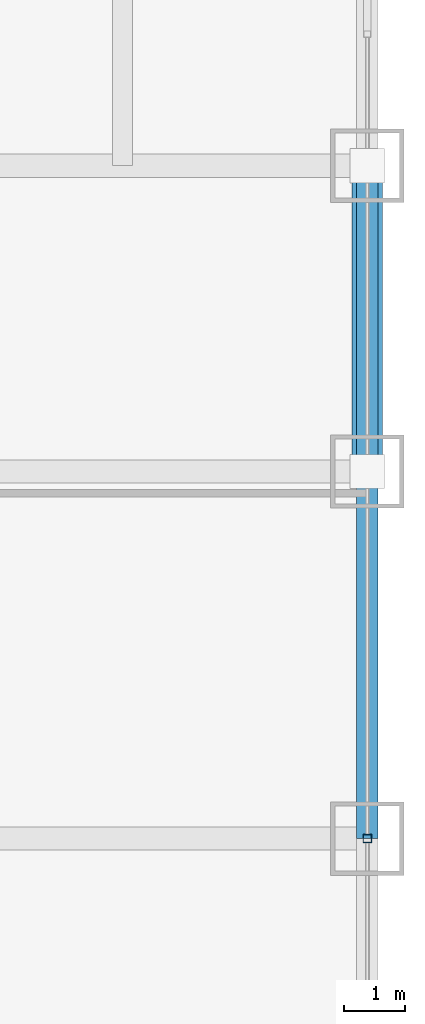
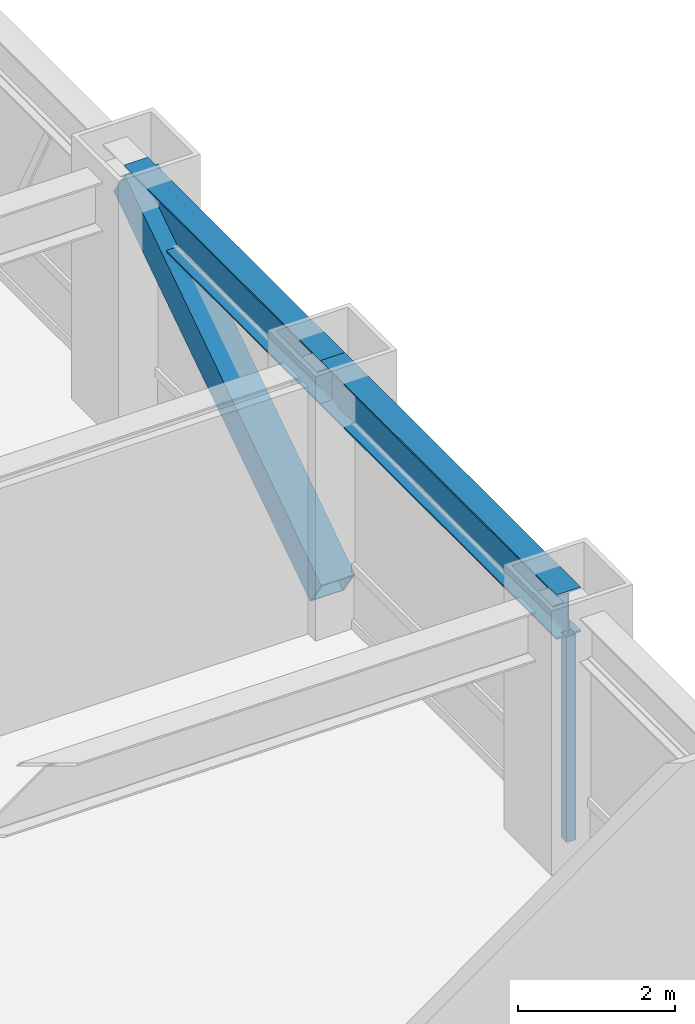
# One storey, part 14 of 27: 2 beams, 2 members, 1 element without a shape of its own.
"""IFC4 building model written with IfcOpenShell, lengths in metres."""

from ifc_helpers import new_model, si_unit, direction, frame, origin, origin_2d, place, context, subcontext, project, spatial, hollow_rectangle, i_section, extrude, source, transform, mapped, material, material_profile, profile_set, type_object, element, aggregate, save


model = new_model("IFC4")

# Units and contexts
model_context = context("Model", 3, precision=1e-05, world=origin(), true_north=direction((0.0, 1.0)))
body_context = subcontext(model_context, "Body", "Model", "MODEL_VIEW")
ifc_project = project(units=[si_unit("LENGTHUNIT", "METRE"), si_unit("AREAUNIT", "SQUARE_METRE"), si_unit("VOLUMEUNIT", "CUBIC_METRE"), si_unit("PLANEANGLEUNIT", "RADIAN"), si_unit("MASSUNIT", "GRAM", prefix="KILO")], contexts=[model_context])

# Site, building, storey
site_placement = place(None, origin())
site = spatial("IfcSite", under=ifc_project, at=site_placement, CompositionType="ELEMENT")
building_placement = place(site_placement, origin())
building = spatial("IfcBuilding", under=site, at=building_placement, Name="Khorayat Bourse Tower", CompositionType="ELEMENT")
storey_placement = place(building_placement, frame((0.0, 0.0, 111.89990234375)))
storey = spatial("IfcBuildingStorey", under=building, at=storey_placement, Name="L25", CompositionType="ELEMENT", Elevation=111.89990234375)

# Beams
ifc_material_1 = material(Name="Steel ASTM A992 Grade 50", Category="steel")
ifc_material_profile_1 = material_profile(ifc_material_1, i_section(OverallWidth=0.35498046875, OverallDepth=0.695068359375, WebThickness=0.015380859375, FlangeThickness=0.02490234375, FilletRadius=0.01806640625, at=origin_2d()), Name="W690X217")
ifc_profile_set_1 = profile_set([ifc_material_profile_1], Name="Steel ASTM A992 Grade 50")
beam_type = type_object("IfcBeamType", Name="BM-SPAN-690", PredefinedType="SPANDREL", material=ifc_profile_set_1)
shared_shape_1 = source(origin(), body_context, "Body", "SweptSolid", [
    extrude(i_section(OverallWidth=0.35498046875, OverallDepth=0.695068359375, WebThickness=0.015380859375, FlangeThickness=0.02490234375, FilletRadius=0.01806640625, at=origin_2d()), origin(), (0.0, 0.0, 1.0), 5.0),
])
beam_1_placement = place(storey_placement, frame((32.0, 6.0, 3.49267578125), z_axis=(0.0, 1.0, 0.0), x_axis=(-1.0, 0.0, 0.0)))
element("IfcBeam", 1, at=beam_1_placement, inside=storey, type_object=beam_type, Name="L25 BM-SPAN-690 BM-L25-SPN-039", PredefinedType="SPANDREL", context=body_context, shape_type="MappedRepresentation", body=[
    mapped(shared_shape_1, transform((0.0, 0.0, 0.0), scale=1.0)),
])
shared_shape_2 = source(origin(), body_context, "Body", "SweptSolid", [
    extrude(i_section(OverallWidth=0.35498046875, OverallDepth=0.695068359375, WebThickness=0.015380859375, FlangeThickness=0.02490234375, FilletRadius=0.01806640625, at=origin_2d()), origin(), (0.0, 0.0, 1.0), 6.0),
])
beam_2_placement = place(storey_placement, frame((32.0, 0.0, 3.49267578125), z_axis=(0.0, 1.0, 0.0), x_axis=(-1.0, 0.0, 0.0)))
element("IfcBeam", 2, at=beam_2_placement, inside=storey, type_object=beam_type, Name="L25 BM-SPAN-690 BM-L25-SPN-038", PredefinedType="SPANDREL", context=body_context, shape_type="MappedRepresentation", body=[
    mapped(shared_shape_2, transform((0.0, 0.0, 0.0), scale=1.0)),
])

# Member
ifc_material_2 = material(Name="Steel EN 10025-4 S460M", Category="steel")
ifc_material_profile_2 = material_profile(ifc_material_2, hollow_rectangle(XDim=0.5, YDim=0.5, WallThickness=0.028076171875, at=origin_2d()), Name="HSS 500x500x28")
ifc_profile_set_2 = profile_set([ifc_material_profile_2], Name="Steel EN 10025-4 S460M")
member_type_1 = type_object("IfcMemberType", Name="MBR-TUBE-500", PredefinedType="BRACE", material=ifc_profile_set_2)
shared_shape_3 = source(origin(), body_context, "Body", "SweptSolid", [
    extrude(hollow_rectangle(XDim=0.5, YDim=0.5, WallThickness=0.028076171875, at=origin_2d()), origin(), (0.0, 0.0, 1.0), 6.012939453125),
])
member_1_placement = place(storey_placement, frame((32.0, 6.0, 0.25), z_axis=(0.0, 0.831531473026, 0.555477640745), x_axis=(-1.0, 0.0, 0.0)))
element("IfcMember", 3, at=member_1_placement, inside=storey, type_object=member_type_1, Name="L25 Perimeter Tube Brace 08", PredefinedType="BRACE", context=body_context, shape_type="MappedRepresentation", body=[
    mapped(shared_shape_3, transform((0.0, 0.0, 0.0), scale=1.0)),
])

# Curtain wall, member
ifc_material_3 = material(Name="Aluminium EN AW-6063 T6", Category="aluminium")
curtain_wall_type = type_object("IfcCurtainWallType", Name="CW-SYS-02", PredefinedType="NOTDEFINED", material=ifc_material_3)
curtain_wall_placement = place(storey_placement, origin())
curtain_wall = element("IfcCurtainWall", 4, at=curtain_wall_placement, inside=storey, type_object=curtain_wall_type, Name="L25 Curtain Wall CW-L25-E1", PredefinedType="NOTDEFINED")
ifc_material_profile_3 = material_profile(ifc_material_3, hollow_rectangle(XDim=0.139892578125, YDim=0.139892578125, WallThickness=0.006103515625, at=origin_2d()), Name="ALU 140x140x6")
ifc_profile_set_3 = profile_set([ifc_material_profile_3], Name="Aluminium EN AW-6063 T6")
member_type_2 = type_object("IfcMemberType", Name="CWM-VERT-140", PredefinedType="MULLION", material=ifc_profile_set_3)
shared_shape_4 = source(origin(), body_context, "Body", "SweptSolid", [
    extrude(hollow_rectangle(XDim=0.139892578125, YDim=0.139892578125, WallThickness=0.006103515625, at=origin_2d()), origin(), (0.0, 0.0, 1.0), 3.190185546875),
])
member_2_placement = place(storey_placement, frame((32.0, 0.0, 0.0), z_axis=(0.0, 0.0, 1.0), x_axis=(-1.0, 0.0, 0.0)))
member_2 = element("IfcMember", 5, at=member_2_placement, type_object=member_type_2, Name="CW-L25-E1 Vertical Mullion 2", PredefinedType="MULLION", context=body_context, shape_type="MappedRepresentation", body=[
    mapped(shared_shape_4, transform((0.0, 0.0, 0.0), scale=1.0)),
])
aggregate(curtain_wall, [member_2])

save(model, "model.ifc")
